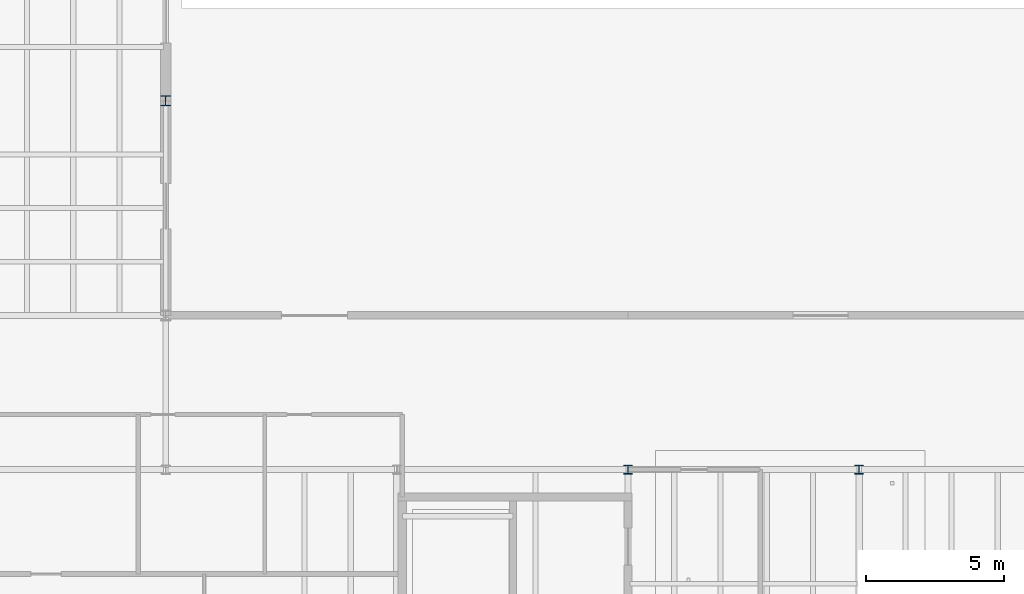
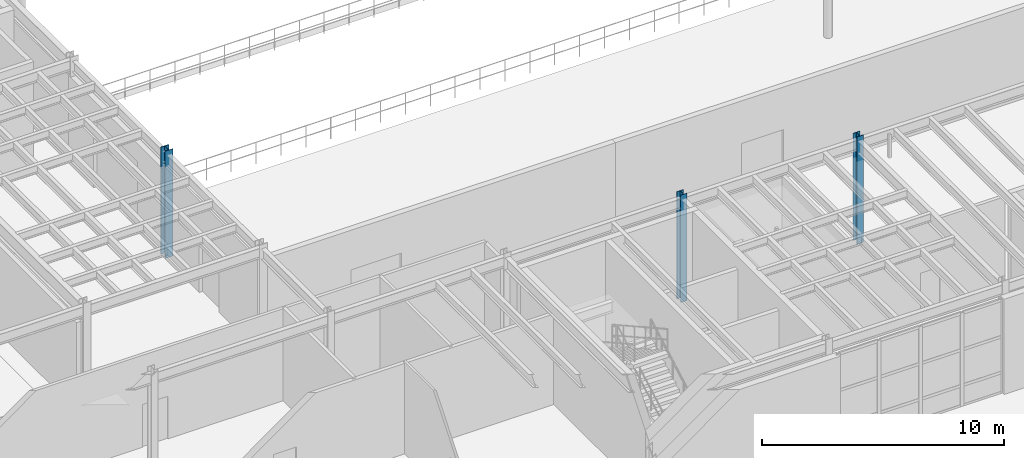
# One storey, part 8 of 87: 3 columns.
"""IFC4 building model written with IfcOpenShell, lengths in metres."""

from ifc_helpers import new_model, si_unit, direction, frame, origin, origin_2d, place, context, subcontext, project, spatial, i_section, extrude, material, material_profile, profile_set, type_object, element, save


model = new_model("IFC4")

# Units and contexts
model_context = context("Model", 3, precision=1e-05, world=origin(), true_north=direction((0.0, 1.0)))
body_context = subcontext(model_context, "Body", "Model", "MODEL_VIEW")
ifc_project = project(units=[si_unit("LENGTHUNIT", "METRE"), si_unit("AREAUNIT", "SQUARE_METRE"), si_unit("VOLUMEUNIT", "CUBIC_METRE"), si_unit("PLANEANGLEUNIT", "RADIAN"), si_unit("MASSUNIT", "GRAM", prefix="KILO")], contexts=[model_context])

# Site, building, storey
site_placement = place(None, origin())
site = spatial("IfcSite", under=ifc_project, at=site_placement, CompositionType="ELEMENT")
building_placement = place(site_placement, origin())
building = spatial("IfcBuilding", under=site, at=building_placement, Name="Selat Folded Stagehouse", CompositionType="ELEMENT")
storey_placement = place(building_placement, origin())
storey = spatial("IfcBuildingStorey", under=building, at=storey_placement, Name="L00", CompositionType="ELEMENT", Elevation=0.0)

# Columns
ifc_material = material(Name="Steel S355", Category="steel")
ifc_material_profile_1 = material_profile(ifc_material, i_section(OverallWidth=0.311279296875, OverallDepth=0.3271484375, WebThickness=0.015869140625, FlangeThickness=0.02490234375, FilletRadius=0.01513671875, at=origin_2d()), Name="UKC 305x305x158")
ifc_profile_set_1 = profile_set([ifc_material_profile_1], Name="Steel S355")
column_type_1 = type_object("IfcColumnType", Name="COL-UKC-305x305x158", PredefinedType="COLUMN", material=ifc_profile_set_1)
for number, where, z_axis, x_axis, name in (
    (1, (84.0, 17.800048828125, 0.0), (0.0, 0.0, 1.0), (1.0, 0.0, 0.0), "L00 column STK-V5-84-178"),
    (2, (92.39990234375, 17.800048828125, 0.0), (0.0, 0.0, 1.0), (1.0, 0.0, 0.0), "L00 column STK-V5-92-178"),
):
    element("IfcColumn", number, at=place(storey_placement, frame(where, z_axis=z_axis, x_axis=x_axis)), inside=storey, type_object=column_type_1, Name=name, PredefinedType="COLUMN", context=body_context, shape_type="SweptSolid", body=[
        extrude(i_section(OverallWidth=0.311279296875, OverallDepth=0.3271484375, WebThickness=0.015869140625, FlangeThickness=0.02490234375, FilletRadius=0.01513671875, at=origin_2d()), origin(), (0.0, 0.0, 1.0), 5.39990234375),
    ])
ifc_material_profile_2 = material_profile(ifc_material, i_section(OverallWidth=0.374755859375, OverallDepth=0.37451171875, WebThickness=0.0166015625, FlangeThickness=0.027099609375, FilletRadius=0.01513671875, at=origin_2d()), Name="UKC 356x368x202")
ifc_profile_set_2 = profile_set([ifc_material_profile_2], Name="Steel S355")
column_type_2 = type_object("IfcColumnType", Name="COL-UKC-356x368x202", PredefinedType="COLUMN", material=ifc_profile_set_2)
column_placement = place(storey_placement, frame((67.199951171875, 31.199951171875, 0.0), z_axis=(0.0, 0.0, 1.0), x_axis=(1.0, 0.0, 0.0)))
element("IfcColumn", 3, at=column_placement, inside=storey, type_object=column_type_2, Name="L00 column STK-V2-22", PredefinedType="COLUMN", context=body_context, shape_type="SweptSolid", body=[
    extrude(i_section(OverallWidth=0.374755859375, OverallDepth=0.37451171875, WebThickness=0.0166015625, FlangeThickness=0.027099609375, FilletRadius=0.01513671875, at=origin_2d()), origin(), (0.0, 0.0, 1.0), 5.39990234375),
])

save(model, "model.ifc")
